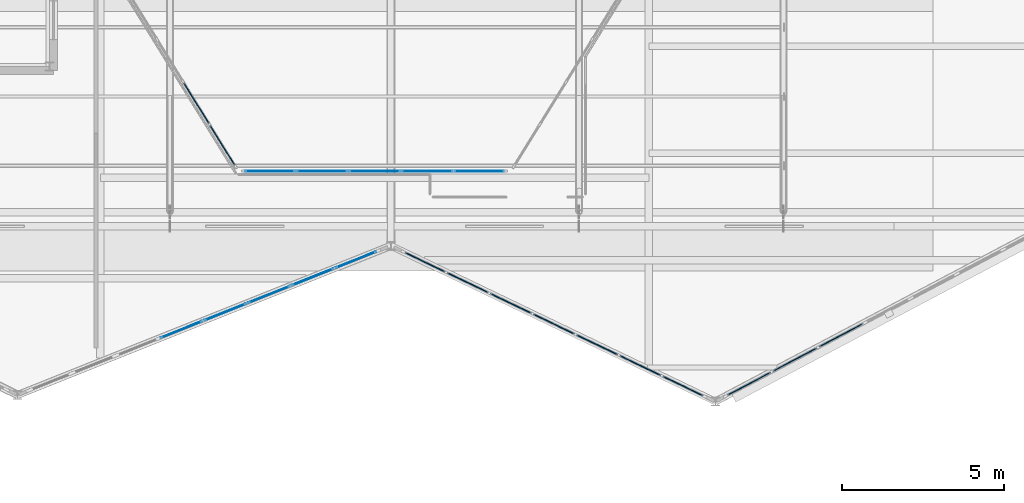
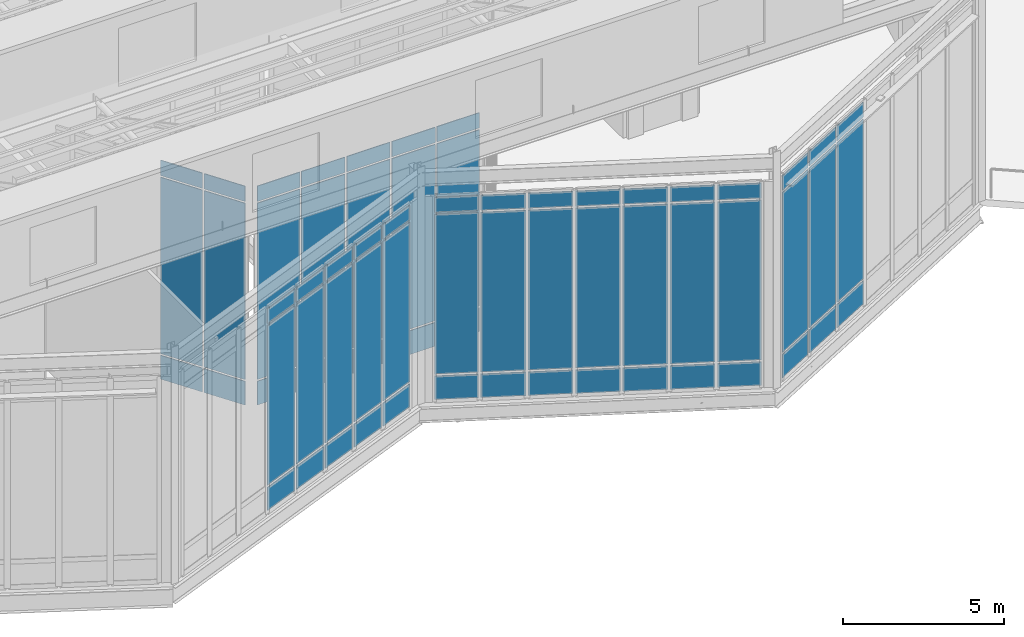
# One storey, part 43 of 66: 66 plates, 5 elements without a shape of their own.
"""IFC4 building model written with IfcOpenShell, lengths in metres."""

from ifc_helpers import new_model, si_unit, direction, frame, origin, origin_2d, place, context, subcontext, project, spatial, rectangle, extrude, material, layer, layer_set, type_object, element, aggregate, save


model = new_model("IFC4")

# Units and contexts
model_context = context("Model", 3, precision=1e-05, world=origin(), true_north=direction((0.0, 1.0)))
body_context = subcontext(model_context, "Body", "Model", "MODEL_VIEW")
ifc_project = project(units=[si_unit("LENGTHUNIT", "METRE"), si_unit("AREAUNIT", "SQUARE_METRE"), si_unit("VOLUMEUNIT", "CUBIC_METRE"), si_unit("PLANEANGLEUNIT", "RADIAN"), si_unit("MASSUNIT", "GRAM", prefix="KILO")], contexts=[model_context])

# Site, building, storey
site_placement = place(None, origin())
site = spatial("IfcSite", under=ifc_project, at=site_placement, CompositionType="ELEMENT")
building_placement = place(site_placement, origin())
building = spatial("IfcBuilding", under=site, at=building_placement, Name="Tameran Prism Museum", CompositionType="ELEMENT")
storey_placement = place(building_placement, frame((0.0, 0.0, 19.800048828125)))
storey = spatial("IfcBuildingStorey", under=building, at=storey_placement, Name="L04", CompositionType="ELEMENT", Elevation=19.800048828125)

# Curtain wall, plates
ifc_material_1 = material(Name="Anodised Aluminium 6063-T6 and Cyclone Solar Glass", Category="aluminium")
curtain_wall_type_1 = type_object("IfcCurtainWallType", Name="CW-ATR-769x844", PredefinedType="USERDEFINED", material=ifc_material_1)
curtain_wall_1_placement = place(storey_placement, origin())
curtain_wall_1 = element("IfcCurtainWall", 1, at=curtain_wall_1_placement, inside=storey, type_object=curtain_wall_type_1, Name="Unitised Curtain Wall CW-015", ObjectType="UNITISED CURTAIN WALL", PredefinedType="USERDEFINED")
ifc_material_2 = material(Name="Low-E Laminated Solar Glass", Category="glass")
ifc_layer_1 = layer(ifc_material_2, 0.028076171875)
ifc_layer_set_1 = layer_set([ifc_layer_1])
plate_type_1 = type_object("IfcPlateType", Name="CW-PNL-G28", PredefinedType="CURTAIN_PANEL", material=ifc_layer_set_1)
plate_1_placement = place(storey_placement, frame((71.50830078125, 31.791259765625, 0.06494140625), z_axis=(0.0, 0.0, 1.0), x_axis=(0.525503952357, -0.850791158897, 0.0)))
plate_1 = element("IfcPlate", 2, at=plate_1_placement, type_object=plate_type_1, Name="CW-015 panel 4.1", PredefinedType="CURTAIN_PANEL", context=body_context, shape_type="SweptSolid", body=[
    extrude(rectangle(XDim=1.473388671875, YDim=0.028076171875, at=origin_2d()), origin(), (0.0, 0.0, 1.0), 0.902587890625),
])
plate_2_placement = place(storey_placement, frame((71.50830078125, 31.791259765625, 1.0322265625), z_axis=(0.0, 0.0, 1.0), x_axis=(0.525503952357, -0.850791158897, 0.0)))
plate_2 = element("IfcPlate", 3, at=plate_2_placement, type_object=plate_type_1, Name="CW-015 panel 4.2", PredefinedType="CURTAIN_PANEL", context=body_context, shape_type="SweptSolid", body=[
    extrude(rectangle(XDim=1.473388671875, YDim=0.028076171875, at=origin_2d()), origin(), (0.0, 0.0, 1.0), 6.695068359375),
])
plate_3_placement = place(storey_placement, frame((71.50830078125, 31.791259765625, 7.79248046875), z_axis=(0.0, 0.0, 1.0), x_axis=(0.525503952357, -0.850791158897, 0.0)))
plate_3 = element("IfcPlate", 4, at=plate_3_placement, type_object=plate_type_1, Name="CW-015 panel 4.3", PredefinedType="CURTAIN_PANEL", context=body_context, shape_type="SweptSolid", body=[
    extrude(rectangle(XDim=1.473388671875, YDim=0.028076171875, at=origin_2d()), origin(), (0.0, 0.0, 1.0), 0.58251953125),
])
plate_4_placement = place(storey_placement, frame((72.308349609375, 30.496337890625, 0.06494140625), z_axis=(0.0, 0.0, 1.0), x_axis=(0.525503952357, -0.850791158897, 0.0)))
plate_4 = element("IfcPlate", 5, at=plate_4_placement, type_object=plate_type_1, Name="CW-015 panel 5.1", PredefinedType="CURTAIN_PANEL", context=body_context, shape_type="SweptSolid", body=[
    extrude(rectangle(XDim=1.44091796875, YDim=0.028076171875, at=origin_2d()), origin(), (0.0, 0.0, 1.0), 0.902587890625),
])
plate_5_placement = place(storey_placement, frame((72.308349609375, 30.496337890625, 1.0322265625), z_axis=(0.0, 0.0, 1.0), x_axis=(0.525503952357, -0.850791158897, 0.0)))
plate_5 = element("IfcPlate", 6, at=plate_5_placement, type_object=plate_type_1, Name="CW-015 panel 5.2", PredefinedType="CURTAIN_PANEL", context=body_context, shape_type="SweptSolid", body=[
    extrude(rectangle(XDim=1.44091796875, YDim=0.028076171875, at=origin_2d()), origin(), (0.0, 0.0, 1.0), 6.695068359375),
])
plate_6_placement = place(storey_placement, frame((72.308349609375, 30.496337890625, 7.79248046875), z_axis=(0.0, 0.0, 1.0), x_axis=(0.525503952357, -0.850791158897, 0.0)))
plate_6 = element("IfcPlate", 7, at=plate_6_placement, type_object=plate_type_1, Name="CW-015 panel 5.3", PredefinedType="CURTAIN_PANEL", context=body_context, shape_type="SweptSolid", body=[
    extrude(rectangle(XDim=1.44091796875, YDim=0.028076171875, at=origin_2d()), origin(), (0.0, 0.0, 1.0), 0.58251953125),
])
aggregate(curtain_wall_1, [plate_1, plate_2, plate_3, plate_4, plate_5, plate_6])

ifc_material_3 = material(Name="Anodised Aluminium 6063-T6 and Cyclone Solar Glass", Category="aluminium")
curtain_wall_type_2 = type_object("IfcCurtainWallType", Name="CW-ATR-810x844", PredefinedType="USERDEFINED", material=ifc_material_3)
curtain_wall_2_placement = place(storey_placement, origin())
curtain_wall_2 = element("IfcCurtainWall", 8, at=curtain_wall_2_placement, inside=storey, type_object=curtain_wall_type_2, Name="Unitised Curtain Wall CW-016", ObjectType="UNITISED CURTAIN WALL", PredefinedType="USERDEFINED")
plate_7_placement = place(storey_placement, frame((73.7763671875, 29.699951171875, 0.06494140625), z_axis=(0.0, 0.0, 1.0), x_axis=(1.0, 0.0, 0.0)))
plate_7 = element("IfcPlate", 9, at=plate_7_placement, type_object=plate_type_1, Name="CW-016 panel 1.1", PredefinedType="CURTAIN_PANEL", context=body_context, shape_type="SweptSolid", body=[
    extrude(rectangle(XDim=1.5224609375, YDim=0.028076171875, at=origin_2d()), origin(), (0.0, 0.0, 1.0), 0.902587890625),
])
plate_8_placement = place(storey_placement, frame((73.7763671875, 29.699951171875, 1.0322265625), z_axis=(0.0, 0.0, 1.0), x_axis=(1.0, 0.0, 0.0)))
plate_8 = element("IfcPlate", 10, at=plate_8_placement, type_object=plate_type_1, Name="CW-016 panel 1.2", PredefinedType="CURTAIN_PANEL", context=body_context, shape_type="SweptSolid", body=[
    extrude(rectangle(XDim=1.5224609375, YDim=0.028076171875, at=origin_2d()), origin(), (0.0, 0.0, 1.0), 6.695068359375),
])
plate_9_placement = place(storey_placement, frame((73.7763671875, 29.699951171875, 7.79248046875), z_axis=(0.0, 0.0, 1.0), x_axis=(1.0, 0.0, 0.0)))
plate_9 = element("IfcPlate", 11, at=plate_9_placement, type_object=plate_type_1, Name="CW-016 panel 1.3", PredefinedType="CURTAIN_PANEL", context=body_context, shape_type="SweptSolid", body=[
    extrude(rectangle(XDim=1.5224609375, YDim=0.028076171875, at=origin_2d()), origin(), (0.0, 0.0, 1.0), 0.58251953125),
])
plate_10_placement = place(storey_placement, frame((75.3798828125, 29.699951171875, 0.06494140625), z_axis=(0.0, 0.0, 1.0), x_axis=(1.0, 0.0, 0.0)))
plate_10 = element("IfcPlate", 12, at=plate_10_placement, type_object=plate_type_1, Name="CW-016 panel 2.1", PredefinedType="CURTAIN_PANEL", context=body_context, shape_type="SweptSolid", body=[
    extrude(rectangle(XDim=1.554931640625, YDim=0.028076171875, at=origin_2d()), origin(), (0.0, 0.0, 1.0), 0.902587890625),
])
plate_11_placement = place(storey_placement, frame((75.3798828125, 29.699951171875, 1.0322265625), z_axis=(0.0, 0.0, 1.0), x_axis=(1.0, 0.0, 0.0)))
plate_11 = element("IfcPlate", 13, at=plate_11_placement, type_object=plate_type_1, Name="CW-016 panel 2.2", PredefinedType="CURTAIN_PANEL", context=body_context, shape_type="SweptSolid", body=[
    extrude(rectangle(XDim=1.554931640625, YDim=0.028076171875, at=origin_2d()), origin(), (0.0, 0.0, 1.0), 6.695068359375),
])
plate_12_placement = place(storey_placement, frame((75.3798828125, 29.699951171875, 7.79248046875), z_axis=(0.0, 0.0, 1.0), x_axis=(1.0, 0.0, 0.0)))
plate_12 = element("IfcPlate", 14, at=plate_12_placement, type_object=plate_type_1, Name="CW-016 panel 2.3", PredefinedType="CURTAIN_PANEL", context=body_context, shape_type="SweptSolid", body=[
    extrude(rectangle(XDim=1.554931640625, YDim=0.028076171875, at=origin_2d()), origin(), (0.0, 0.0, 1.0), 0.58251953125),
])
plate_13_placement = place(storey_placement, frame((77.0, 29.699951171875, 0.06494140625), z_axis=(0.0, 0.0, 1.0), x_axis=(1.0, 0.0, 0.0)))
plate_13 = element("IfcPlate", 15, at=plate_13_placement, type_object=plate_type_1, Name="CW-016 panel 3.1", PredefinedType="CURTAIN_PANEL", context=body_context, shape_type="SweptSolid", body=[
    extrude(rectangle(XDim=1.554931640625, YDim=0.028076171875, at=origin_2d()), origin(), (0.0, 0.0, 1.0), 0.902587890625),
])
plate_14_placement = place(storey_placement, frame((77.0, 29.699951171875, 1.0322265625), z_axis=(0.0, 0.0, 1.0), x_axis=(1.0, 0.0, 0.0)))
plate_14 = element("IfcPlate", 16, at=plate_14_placement, type_object=plate_type_1, Name="CW-016 panel 3.2", PredefinedType="CURTAIN_PANEL", context=body_context, shape_type="SweptSolid", body=[
    extrude(rectangle(XDim=1.554931640625, YDim=0.028076171875, at=origin_2d()), origin(), (0.0, 0.0, 1.0), 6.695068359375),
])
plate_15_placement = place(storey_placement, frame((77.0, 29.699951171875, 7.79248046875), z_axis=(0.0, 0.0, 1.0), x_axis=(1.0, 0.0, 0.0)))
plate_15 = element("IfcPlate", 17, at=plate_15_placement, type_object=plate_type_1, Name="CW-016 panel 3.3", PredefinedType="CURTAIN_PANEL", context=body_context, shape_type="SweptSolid", body=[
    extrude(rectangle(XDim=1.554931640625, YDim=0.028076171875, at=origin_2d()), origin(), (0.0, 0.0, 1.0), 0.58251953125),
])
plate_16_placement = place(storey_placement, frame((78.6201171875, 29.699951171875, 0.06494140625), z_axis=(0.0, 0.0, 1.0), x_axis=(1.0, 0.0, 0.0)))
plate_16 = element("IfcPlate", 18, at=plate_16_placement, type_object=plate_type_1, Name="CW-016 panel 4.1", PredefinedType="CURTAIN_PANEL", context=body_context, shape_type="SweptSolid", body=[
    extrude(rectangle(XDim=1.554931640625, YDim=0.028076171875, at=origin_2d()), origin(), (0.0, 0.0, 1.0), 0.902587890625),
])
plate_17_placement = place(storey_placement, frame((78.6201171875, 29.699951171875, 1.0322265625), z_axis=(0.0, 0.0, 1.0), x_axis=(1.0, 0.0, 0.0)))
plate_17 = element("IfcPlate", 19, at=plate_17_placement, type_object=plate_type_1, Name="CW-016 panel 4.2", PredefinedType="CURTAIN_PANEL", context=body_context, shape_type="SweptSolid", body=[
    extrude(rectangle(XDim=1.554931640625, YDim=0.028076171875, at=origin_2d()), origin(), (0.0, 0.0, 1.0), 6.695068359375),
])
plate_18_placement = place(storey_placement, frame((78.6201171875, 29.699951171875, 7.79248046875), z_axis=(0.0, 0.0, 1.0), x_axis=(1.0, 0.0, 0.0)))
plate_18 = element("IfcPlate", 20, at=plate_18_placement, type_object=plate_type_1, Name="CW-016 panel 4.3", PredefinedType="CURTAIN_PANEL", context=body_context, shape_type="SweptSolid", body=[
    extrude(rectangle(XDim=1.554931640625, YDim=0.028076171875, at=origin_2d()), origin(), (0.0, 0.0, 1.0), 0.58251953125),
])
plate_19_placement = place(storey_placement, frame((80.2236328125, 29.699951171875, 0.06494140625), z_axis=(0.0, 0.0, 1.0), x_axis=(1.0, 0.0, 0.0)))
plate_19 = element("IfcPlate", 21, at=plate_19_placement, type_object=plate_type_1, Name="CW-016 panel 5.1", PredefinedType="CURTAIN_PANEL", context=body_context, shape_type="SweptSolid", body=[
    extrude(rectangle(XDim=1.5224609375, YDim=0.028076171875, at=origin_2d()), origin(), (0.0, 0.0, 1.0), 0.902587890625),
])
plate_20_placement = place(storey_placement, frame((80.2236328125, 29.699951171875, 1.0322265625), z_axis=(0.0, 0.0, 1.0), x_axis=(1.0, 0.0, 0.0)))
plate_20 = element("IfcPlate", 22, at=plate_20_placement, type_object=plate_type_1, Name="CW-016 panel 5.2", PredefinedType="CURTAIN_PANEL", context=body_context, shape_type="SweptSolid", body=[
    extrude(rectangle(XDim=1.5224609375, YDim=0.028076171875, at=origin_2d()), origin(), (0.0, 0.0, 1.0), 6.695068359375),
])
plate_21_placement = place(storey_placement, frame((80.2236328125, 29.699951171875, 7.79248046875), z_axis=(0.0, 0.0, 1.0), x_axis=(1.0, 0.0, 0.0)))
plate_21 = element("IfcPlate", 23, at=plate_21_placement, type_object=plate_type_1, Name="CW-016 panel 5.3", PredefinedType="CURTAIN_PANEL", context=body_context, shape_type="SweptSolid", body=[
    extrude(rectangle(XDim=1.5224609375, YDim=0.028076171875, at=origin_2d()), origin(), (0.0, 0.0, 1.0), 0.58251953125),
])
aggregate(curtain_wall_2, [plate_7, plate_8, plate_9, plate_10, plate_11, plate_12, plate_13, plate_14, plate_15, plate_16, plate_17, plate_18, plate_19, plate_20, plate_21])

ifc_material_4 = material(Name="Anodised Aluminium 6063-T6 and Cyclone Solar Glass", Category="aluminium")
curtain_wall_type_3 = type_object("IfcCurtainWallType", Name="CW-FAC-1163x782", PredefinedType="USERDEFINED", material=ifc_material_4)
curtain_wall_3_placement = place(storey_placement, origin())
curtain_wall_3 = element("IfcCurtainWall", 24, at=curtain_wall_3_placement, inside=storey, type_object=curtain_wall_type_3, Name="Unitised Curtain Wall CW-158", ObjectType="UNITISED CURTAIN WALL", PredefinedType="USERDEFINED")
plate_22_placement = place(storey_placement, frame((76.42578125, 26.970703125, 0.080078125), z_axis=(0.0, 0.0, 1.0), x_axis=(-0.928464826032, -0.371420337114, 0.0)))
plate_22 = element("IfcPlate", 25, at=plate_22_placement, type_object=plate_type_1, Name="CW-158 panel 1.1", PredefinedType="CURTAIN_PANEL", context=body_context, shape_type="SweptSolid", body=[
    extrude(rectangle(XDim=1.333251953125, YDim=0.028076171875, at=origin_2d()), origin(), (0.0, 0.0, 1.0), 0.8798828125),
])
plate_23_placement = place(storey_placement, frame((76.42578125, 26.970703125, 1.0400390625), z_axis=(0.0, 0.0, 1.0), x_axis=(-0.928464826032, -0.371420337114, 0.0)))
plate_23 = element("IfcPlate", 26, at=plate_23_placement, type_object=plate_type_1, Name="CW-158 panel 1.2", PredefinedType="CURTAIN_PANEL", context=body_context, shape_type="SweptSolid", body=[
    extrude(rectangle(XDim=1.333251953125, YDim=0.028076171875, at=origin_2d()), origin(), (0.0, 0.0, 1.0), 6.06005859375),
])
plate_24_placement = place(storey_placement, frame((76.42578125, 26.970703125, 7.179931640625), z_axis=(0.0, 0.0, 1.0), x_axis=(-0.928464826032, -0.371420337114, 0.0)))
plate_24 = element("IfcPlate", 27, at=plate_24_placement, type_object=plate_type_1, Name="CW-158 panel 1.3", PredefinedType="CURTAIN_PANEL", context=body_context, shape_type="SweptSolid", body=[
    extrude(rectangle(XDim=1.333251953125, YDim=0.028076171875, at=origin_2d()), origin(), (0.0, 0.0, 1.0), 0.56005859375),
])
plate_25_placement = place(storey_placement, frame((75.09521484375, 26.4384765625, 0.080078125), z_axis=(0.0, 0.0, 1.0), x_axis=(-0.928464826032, -0.371420337114, 0.0)))
plate_25 = element("IfcPlate", 28, at=plate_25_placement, type_object=plate_type_1, Name="CW-158 panel 2.1", PredefinedType="CURTAIN_PANEL", context=body_context, shape_type="SweptSolid", body=[
    extrude(rectangle(XDim=1.373291015625, YDim=0.028076171875, at=origin_2d()), origin(), (0.0, 0.0, 1.0), 0.8798828125),
])
plate_26_placement = place(storey_placement, frame((75.09521484375, 26.4384765625, 1.0400390625), z_axis=(0.0, 0.0, 1.0), x_axis=(-0.928464826032, -0.371420337114, 0.0)))
plate_26 = element("IfcPlate", 29, at=plate_26_placement, type_object=plate_type_1, Name="CW-158 panel 2.2", PredefinedType="CURTAIN_PANEL", context=body_context, shape_type="SweptSolid", body=[
    extrude(rectangle(XDim=1.373291015625, YDim=0.028076171875, at=origin_2d()), origin(), (0.0, 0.0, 1.0), 6.06005859375),
])
plate_27_placement = place(storey_placement, frame((75.09521484375, 26.4384765625, 7.179931640625), z_axis=(0.0, 0.0, 1.0), x_axis=(-0.928464826032, -0.371420337114, 0.0)))
plate_27 = element("IfcPlate", 30, at=plate_27_placement, type_object=plate_type_1, Name="CW-158 panel 2.3", PredefinedType="CURTAIN_PANEL", context=body_context, shape_type="SweptSolid", body=[
    extrude(rectangle(XDim=1.373291015625, YDim=0.028076171875, at=origin_2d()), origin(), (0.0, 0.0, 1.0), 0.56005859375),
])
plate_28_placement = place(storey_placement, frame((73.745849609375, 25.898681640625, 0.080078125), z_axis=(0.0, 0.0, 1.0), x_axis=(-0.928464826032, -0.371420337114, 0.0)))
plate_28 = element("IfcPlate", 31, at=plate_28_placement, type_object=plate_type_1, Name="CW-158 panel 3.1", PredefinedType="CURTAIN_PANEL", context=body_context, shape_type="SweptSolid", body=[
    extrude(rectangle(XDim=1.373291015625, YDim=0.028076171875, at=origin_2d()), origin(), (0.0, 0.0, 1.0), 0.8798828125),
])
plate_29_placement = place(storey_placement, frame((73.745849609375, 25.898681640625, 1.0400390625), z_axis=(0.0, 0.0, 1.0), x_axis=(-0.928464826032, -0.371420337114, 0.0)))
plate_29 = element("IfcPlate", 32, at=plate_29_placement, type_object=plate_type_1, Name="CW-158 panel 3.2", PredefinedType="CURTAIN_PANEL", context=body_context, shape_type="SweptSolid", body=[
    extrude(rectangle(XDim=1.373291015625, YDim=0.028076171875, at=origin_2d()), origin(), (0.0, 0.0, 1.0), 6.06005859375),
])
plate_30_placement = place(storey_placement, frame((73.745849609375, 25.898681640625, 7.179931640625), z_axis=(0.0, 0.0, 1.0), x_axis=(-0.928464826032, -0.371420337114, 0.0)))
plate_30 = element("IfcPlate", 33, at=plate_30_placement, type_object=plate_type_1, Name="CW-158 panel 3.3", PredefinedType="CURTAIN_PANEL", context=body_context, shape_type="SweptSolid", body=[
    extrude(rectangle(XDim=1.373291015625, YDim=0.028076171875, at=origin_2d()), origin(), (0.0, 0.0, 1.0), 0.56005859375),
])
plate_31_placement = place(storey_placement, frame((72.396728515625, 25.35888671875, 0.080078125), z_axis=(0.0, 0.0, 1.0), x_axis=(-0.928464826032, -0.371420337114, 0.0)))
plate_31 = element("IfcPlate", 34, at=plate_31_placement, type_object=plate_type_1, Name="CW-158 panel 4.1", PredefinedType="CURTAIN_PANEL", context=body_context, shape_type="SweptSolid", body=[
    extrude(rectangle(XDim=1.373291015625, YDim=0.028076171875, at=origin_2d()), origin(), (0.0, 0.0, 1.0), 0.8798828125),
])
plate_32_placement = place(storey_placement, frame((72.396728515625, 25.35888671875, 1.0400390625), z_axis=(0.0, 0.0, 1.0), x_axis=(-0.928464826032, -0.371420337114, 0.0)))
plate_32 = element("IfcPlate", 35, at=plate_32_placement, type_object=plate_type_1, Name="CW-158 panel 4.2", PredefinedType="CURTAIN_PANEL", context=body_context, shape_type="SweptSolid", body=[
    extrude(rectangle(XDim=1.373291015625, YDim=0.028076171875, at=origin_2d()), origin(), (0.0, 0.0, 1.0), 6.06005859375),
])
plate_33_placement = place(storey_placement, frame((72.396728515625, 25.35888671875, 7.179931640625), z_axis=(0.0, 0.0, 1.0), x_axis=(-0.928464826032, -0.371420337114, 0.0)))
plate_33 = element("IfcPlate", 36, at=plate_33_placement, type_object=plate_type_1, Name="CW-158 panel 4.3", PredefinedType="CURTAIN_PANEL", context=body_context, shape_type="SweptSolid", body=[
    extrude(rectangle(XDim=1.373291015625, YDim=0.028076171875, at=origin_2d()), origin(), (0.0, 0.0, 1.0), 0.56005859375),
])
plate_34_placement = place(storey_placement, frame((71.04736328125, 24.819091796875, 0.080078125), z_axis=(0.0, 0.0, 1.0), x_axis=(-0.928464826032, -0.371420337114, 0.0)))
plate_34 = element("IfcPlate", 37, at=plate_34_placement, type_object=plate_type_1, Name="CW-158 panel 5.1", PredefinedType="CURTAIN_PANEL", context=body_context, shape_type="SweptSolid", body=[
    extrude(rectangle(XDim=1.373291015625, YDim=0.028076171875, at=origin_2d()), origin(), (0.0, 0.0, 1.0), 0.8798828125),
])
plate_35_placement = place(storey_placement, frame((71.04736328125, 24.819091796875, 1.0400390625), z_axis=(0.0, 0.0, 1.0), x_axis=(-0.928464826032, -0.371420337114, 0.0)))
plate_35 = element("IfcPlate", 38, at=plate_35_placement, type_object=plate_type_1, Name="CW-158 panel 5.2", PredefinedType="CURTAIN_PANEL", context=body_context, shape_type="SweptSolid", body=[
    extrude(rectangle(XDim=1.373291015625, YDim=0.028076171875, at=origin_2d()), origin(), (0.0, 0.0, 1.0), 6.06005859375),
])
plate_36_placement = place(storey_placement, frame((71.04736328125, 24.819091796875, 7.179931640625), z_axis=(0.0, 0.0, 1.0), x_axis=(-0.928464826032, -0.371420337114, 0.0)))
plate_36 = element("IfcPlate", 39, at=plate_36_placement, type_object=plate_type_1, Name="CW-158 panel 5.3", PredefinedType="CURTAIN_PANEL", context=body_context, shape_type="SweptSolid", body=[
    extrude(rectangle(XDim=1.373291015625, YDim=0.028076171875, at=origin_2d()), origin(), (0.0, 0.0, 1.0), 0.56005859375),
])
aggregate(curtain_wall_3, [plate_22, plate_23, plate_24, plate_25, plate_26, plate_27, plate_28, plate_29, plate_30, plate_31, plate_32, plate_33, plate_34, plate_35, plate_36])

ifc_material_5 = material(Name="Anodised Aluminium 6063-T6 and Cyclone Solar Glass", Category="aluminium")
curtain_wall_type_4 = type_object("IfcCurtainWallType", Name="CW-FAC-1129x782", PredefinedType="USERDEFINED", material=ifc_material_5)
curtain_wall_4_placement = place(storey_placement, origin())
curtain_wall_4 = element("IfcCurtainWall", 40, at=curtain_wall_4_placement, inside=storey, type_object=curtain_wall_type_4, Name="Unitised Curtain Wall CW-161", ObjectType="UNITISED CURTAIN WALL", PredefinedType="USERDEFINED")
plate_37_placement = place(storey_placement, frame((91.3740234375, 24.646484375, 0.0751953125), z_axis=(0.0, 0.0, 1.0), x_axis=(-0.884175436294, -0.467155004099, 0.0)))
plate_37 = element("IfcPlate", 41, at=plate_37_placement, type_object=plate_type_1, Name="CW-161 panel 5.1", PredefinedType="CURTAIN_PANEL", context=body_context, shape_type="SweptSolid", body=[
    extrude(rectangle(XDim=1.537841796875, YDim=0.028076171875, at=origin_2d()), origin(), (0.0, 0.0, 1.0), 0.887451171875),
])
plate_38_placement = place(storey_placement, frame((91.3740234375, 24.646484375, 1.03759765625), z_axis=(0.0, 0.0, 1.0), x_axis=(-0.884175436294, -0.467155004099, 0.0)))
plate_38 = element("IfcPlate", 42, at=plate_38_placement, type_object=plate_type_1, Name="CW-161 panel 5.2", PredefinedType="CURTAIN_PANEL", context=body_context, shape_type="SweptSolid", body=[
    extrude(rectangle(XDim=1.537841796875, YDim=0.028076171875, at=origin_2d()), origin(), (0.0, 0.0, 1.0), 6.06494140625),
])
plate_39_placement = place(storey_placement, frame((91.3740234375, 24.646484375, 7.177490234375), z_axis=(0.0, 0.0, 1.0), x_axis=(-0.884175436294, -0.467155004099, 0.0)))
plate_39 = element("IfcPlate", 43, at=plate_39_placement, type_object=plate_type_1, Name="CW-161 panel 5.3", PredefinedType="CURTAIN_PANEL", context=body_context, shape_type="SweptSolid", body=[
    extrude(rectangle(XDim=1.537841796875, YDim=0.028076171875, at=origin_2d()), origin(), (0.0, 0.0, 1.0), 0.5673828125),
])
plate_40_placement = place(storey_placement, frame((89.947998046875, 23.89306640625, 0.0751953125), z_axis=(0.0, 0.0, 1.0), x_axis=(-0.884175436294, -0.467155004099, 0.0)))
plate_40 = element("IfcPlate", 44, at=plate_40_placement, type_object=plate_type_1, Name="CW-161 panel 6.1", PredefinedType="CURTAIN_PANEL", context=body_context, shape_type="SweptSolid", body=[
    extrude(rectangle(XDim=1.537841796875, YDim=0.028076171875, at=origin_2d()), origin(), (0.0, 0.0, 1.0), 0.887451171875),
])
plate_41_placement = place(storey_placement, frame((89.947998046875, 23.89306640625, 1.03759765625), z_axis=(0.0, 0.0, 1.0), x_axis=(-0.884175436294, -0.467155004099, 0.0)))
plate_41 = element("IfcPlate", 45, at=plate_41_placement, type_object=plate_type_1, Name="CW-161 panel 6.2", PredefinedType="CURTAIN_PANEL", context=body_context, shape_type="SweptSolid", body=[
    extrude(rectangle(XDim=1.537841796875, YDim=0.028076171875, at=origin_2d()), origin(), (0.0, 0.0, 1.0), 6.06494140625),
])
plate_42_placement = place(storey_placement, frame((89.947998046875, 23.89306640625, 7.177490234375), z_axis=(0.0, 0.0, 1.0), x_axis=(-0.884175436294, -0.467155004099, 0.0)))
plate_42 = element("IfcPlate", 46, at=plate_42_placement, type_object=plate_type_1, Name="CW-161 panel 6.3", PredefinedType="CURTAIN_PANEL", context=body_context, shape_type="SweptSolid", body=[
    extrude(rectangle(XDim=1.537841796875, YDim=0.028076171875, at=origin_2d()), origin(), (0.0, 0.0, 1.0), 0.5673828125),
])
plate_43_placement = place(storey_placement, frame((88.53857421875, 23.1484375, 0.0751953125), z_axis=(0.0, 0.0, 1.0), x_axis=(-0.884175436294, -0.467155004099, 0.0)))
plate_43 = element("IfcPlate", 47, at=plate_43_placement, type_object=plate_type_1, Name="CW-161 panel 7.1", PredefinedType="CURTAIN_PANEL", context=body_context, shape_type="SweptSolid", body=[
    extrude(rectangle(XDim=1.500244140625, YDim=0.028076171875, at=origin_2d()), origin(), (0.0, 0.0, 1.0), 0.887451171875),
])
plate_44_placement = place(storey_placement, frame((88.53857421875, 23.1484375, 1.03759765625), z_axis=(0.0, 0.0, 1.0), x_axis=(-0.884175436294, -0.467155004099, 0.0)))
plate_44 = element("IfcPlate", 48, at=plate_44_placement, type_object=plate_type_1, Name="CW-161 panel 7.2", PredefinedType="CURTAIN_PANEL", context=body_context, shape_type="SweptSolid", body=[
    extrude(rectangle(XDim=1.500244140625, YDim=0.028076171875, at=origin_2d()), origin(), (0.0, 0.0, 1.0), 6.06494140625),
])
plate_45_placement = place(storey_placement, frame((88.53857421875, 23.1484375, 7.177490234375), z_axis=(0.0, 0.0, 1.0), x_axis=(-0.884175436294, -0.467155004099, 0.0)))
plate_45 = element("IfcPlate", 49, at=plate_45_placement, type_object=plate_type_1, Name="CW-161 panel 7.3", PredefinedType="CURTAIN_PANEL", context=body_context, shape_type="SweptSolid", body=[
    extrude(rectangle(XDim=1.500244140625, YDim=0.028076171875, at=origin_2d()), origin(), (0.0, 0.0, 1.0), 0.5673828125),
])
aggregate(curtain_wall_4, [plate_37, plate_38, plate_39, plate_40, plate_41, plate_42, plate_43, plate_44, plate_45])

ifc_material_6 = material(Name="Anodised Aluminium 6063-T6 and Cyclone Solar Glass", Category="aluminium")
curtain_wall_type_5 = type_object("IfcCurtainWallType", Name="CW-FAC-1033x782", PredefinedType="USERDEFINED", material=ifc_material_6)
curtain_wall_5_placement = place(storey_placement, origin())
curtain_wall_5 = element("IfcCurtainWall", 50, at=curtain_wall_5_placement, inside=storey, type_object=curtain_wall_type_5, Name="Unitised Curtain Wall CW-160", ObjectType="UNITISED CURTAIN WALL", PredefinedType="USERDEFINED")
ifc_material_7 = material(Name="Cyclone Laminated Solar Glass", Category="glass")
ifc_layer_2 = layer(ifc_material_7, 0.031982421875)
ifc_layer_set_2 = layer_set([ifc_layer_2])
plate_type_2 = type_object("IfcPlateType", Name="CW-PNL-G32", PredefinedType="CURTAIN_PANEL", material=ifc_layer_set_2)
plate_46_placement = place(storey_placement, frame((86.5029296875, 23.078125, 0.06982421875), z_axis=(0.0, 0.0, 1.0), x_axis=(-0.901474721245, 0.432831753637, 0.0)))
plate_46 = element("IfcPlate", 51, at=plate_46_placement, type_object=plate_type_2, Name="CW-160 panel 1.1", PredefinedType="CURTAIN_PANEL", context=body_context, shape_type="SweptSolid", body=[
    extrude(rectangle(XDim=1.37109375, YDim=0.031982421875, at=origin_2d()), origin(), (0.0, 0.0, 1.0), 0.89501953125),
])
plate_47_placement = place(storey_placement, frame((86.5029296875, 23.078125, 1.03515625), z_axis=(0.0, 0.0, 1.0), x_axis=(-0.901474721245, 0.432831753637, 0.0)))
plate_47 = element("IfcPlate", 52, at=plate_47_placement, type_object=plate_type_2, Name="CW-160 panel 1.2", PredefinedType="CURTAIN_PANEL", context=body_context, shape_type="SweptSolid", body=[
    extrude(rectangle(XDim=1.37109375, YDim=0.031982421875, at=origin_2d()), origin(), (0.0, 0.0, 1.0), 6.070068359375),
])
plate_48_placement = place(storey_placement, frame((86.5029296875, 23.078125, 7.1748046875), z_axis=(0.0, 0.0, 1.0), x_axis=(-0.901474721245, 0.432831753637, 0.0)))
plate_48 = element("IfcPlate", 53, at=plate_48_placement, type_object=plate_type_2, Name="CW-160 panel 1.3", PredefinedType="CURTAIN_PANEL", context=body_context, shape_type="SweptSolid", body=[
    extrude(rectangle(XDim=1.37109375, YDim=0.031982421875, at=origin_2d()), origin(), (0.0, 0.0, 1.0), 0.574951171875),
])
plate_49_placement = place(storey_placement, frame((85.188232421875, 23.709228515625, 0.06982421875), z_axis=(0.0, 0.0, 1.0), x_axis=(-0.901474721245, 0.432831753637, 0.0)))
plate_49 = element("IfcPlate", 54, at=plate_49_placement, type_object=plate_type_2, Name="CW-160 panel 2.1", PredefinedType="CURTAIN_PANEL", context=body_context, shape_type="SweptSolid", body=[
    extrude(rectangle(XDim=1.406005859375, YDim=0.031982421875, at=origin_2d()), origin(), (0.0, 0.0, 1.0), 0.89501953125),
])
plate_50_placement = place(storey_placement, frame((85.188232421875, 23.709228515625, 1.03515625), z_axis=(0.0, 0.0, 1.0), x_axis=(-0.901474721245, 0.432831753637, 0.0)))
plate_50 = element("IfcPlate", 55, at=plate_50_placement, type_object=plate_type_2, Name="CW-160 panel 2.2", PredefinedType="CURTAIN_PANEL", context=body_context, shape_type="SweptSolid", body=[
    extrude(rectangle(XDim=1.406005859375, YDim=0.031982421875, at=origin_2d()), origin(), (0.0, 0.0, 1.0), 6.070068359375),
])
plate_51_placement = place(storey_placement, frame((85.188232421875, 23.709228515625, 7.1748046875), z_axis=(0.0, 0.0, 1.0), x_axis=(-0.901474721245, 0.432831753637, 0.0)))
plate_51 = element("IfcPlate", 56, at=plate_51_placement, type_object=plate_type_2, Name="CW-160 panel 2.3", PredefinedType="CURTAIN_PANEL", context=body_context, shape_type="SweptSolid", body=[
    extrude(rectangle(XDim=1.406005859375, YDim=0.031982421875, at=origin_2d()), origin(), (0.0, 0.0, 1.0), 0.574951171875),
])
plate_52_placement = place(storey_placement, frame((83.857666015625, 24.34814453125, 0.06982421875), z_axis=(0.0, 0.0, 1.0), x_axis=(-0.901474721245, 0.432831753637, 0.0)))
plate_52 = element("IfcPlate", 57, at=plate_52_placement, type_object=plate_type_2, Name="CW-160 panel 3.1", PredefinedType="CURTAIN_PANEL", context=body_context, shape_type="SweptSolid", body=[
    extrude(rectangle(XDim=1.406005859375, YDim=0.031982421875, at=origin_2d()), origin(), (0.0, 0.0, 1.0), 0.89501953125),
])
plate_53_placement = place(storey_placement, frame((83.857666015625, 24.34814453125, 1.03515625), z_axis=(0.0, 0.0, 1.0), x_axis=(-0.901474721245, 0.432831753637, 0.0)))
plate_53 = element("IfcPlate", 58, at=plate_53_placement, type_object=plate_type_2, Name="CW-160 panel 3.2", PredefinedType="CURTAIN_PANEL", context=body_context, shape_type="SweptSolid", body=[
    extrude(rectangle(XDim=1.406005859375, YDim=0.031982421875, at=origin_2d()), origin(), (0.0, 0.0, 1.0), 6.070068359375),
])
plate_54_placement = place(storey_placement, frame((83.857666015625, 24.34814453125, 7.1748046875), z_axis=(0.0, 0.0, 1.0), x_axis=(-0.901474721245, 0.432831753637, 0.0)))
plate_54 = element("IfcPlate", 59, at=plate_54_placement, type_object=plate_type_2, Name="CW-160 panel 3.3", PredefinedType="CURTAIN_PANEL", context=body_context, shape_type="SweptSolid", body=[
    extrude(rectangle(XDim=1.406005859375, YDim=0.031982421875, at=origin_2d()), origin(), (0.0, 0.0, 1.0), 0.574951171875),
])
plate_55_placement = place(storey_placement, frame((82.527099609375, 24.987060546875, 0.06982421875), z_axis=(0.0, 0.0, 1.0), x_axis=(-0.901474721245, 0.432831753637, 0.0)))
plate_55 = element("IfcPlate", 60, at=plate_55_placement, type_object=plate_type_2, Name="CW-160 panel 4.1", PredefinedType="CURTAIN_PANEL", context=body_context, shape_type="SweptSolid", body=[
    extrude(rectangle(XDim=1.406005859375, YDim=0.031982421875, at=origin_2d()), origin(), (0.0, 0.0, 1.0), 0.89501953125),
])
plate_56_placement = place(storey_placement, frame((82.527099609375, 24.987060546875, 1.03515625), z_axis=(0.0, 0.0, 1.0), x_axis=(-0.901474721245, 0.432831753637, 0.0)))
plate_56 = element("IfcPlate", 61, at=plate_56_placement, type_object=plate_type_2, Name="CW-160 panel 4.2", PredefinedType="CURTAIN_PANEL", context=body_context, shape_type="SweptSolid", body=[
    extrude(rectangle(XDim=1.406005859375, YDim=0.031982421875, at=origin_2d()), origin(), (0.0, 0.0, 1.0), 6.070068359375),
])
plate_57_placement = place(storey_placement, frame((82.527099609375, 24.987060546875, 7.1748046875), z_axis=(0.0, 0.0, 1.0), x_axis=(-0.901474721245, 0.432831753637, 0.0)))
plate_57 = element("IfcPlate", 62, at=plate_57_placement, type_object=plate_type_2, Name="CW-160 panel 4.3", PredefinedType="CURTAIN_PANEL", context=body_context, shape_type="SweptSolid", body=[
    extrude(rectangle(XDim=1.406005859375, YDim=0.031982421875, at=origin_2d()), origin(), (0.0, 0.0, 1.0), 0.574951171875),
])
plate_58_placement = place(storey_placement, frame((81.196533203125, 25.6259765625, 0.06982421875), z_axis=(0.0, 0.0, 1.0), x_axis=(-0.901474721245, 0.432831753637, 0.0)))
plate_58 = element("IfcPlate", 63, at=plate_58_placement, type_object=plate_type_2, Name="CW-160 panel 5.1", PredefinedType="CURTAIN_PANEL", context=body_context, shape_type="SweptSolid", body=[
    extrude(rectangle(XDim=1.406005859375, YDim=0.031982421875, at=origin_2d()), origin(), (0.0, 0.0, 1.0), 0.89501953125),
])
plate_59_placement = place(storey_placement, frame((81.196533203125, 25.6259765625, 1.03515625), z_axis=(0.0, 0.0, 1.0), x_axis=(-0.901474721245, 0.432831753637, 0.0)))
plate_59 = element("IfcPlate", 64, at=plate_59_placement, type_object=plate_type_2, Name="CW-160 panel 5.2", PredefinedType="CURTAIN_PANEL", context=body_context, shape_type="SweptSolid", body=[
    extrude(rectangle(XDim=1.406005859375, YDim=0.031982421875, at=origin_2d()), origin(), (0.0, 0.0, 1.0), 6.070068359375),
])
plate_60_placement = place(storey_placement, frame((81.196533203125, 25.6259765625, 7.1748046875), z_axis=(0.0, 0.0, 1.0), x_axis=(-0.901474721245, 0.432831753637, 0.0)))
plate_60 = element("IfcPlate", 65, at=plate_60_placement, type_object=plate_type_2, Name="CW-160 panel 5.3", PredefinedType="CURTAIN_PANEL", context=body_context, shape_type="SweptSolid", body=[
    extrude(rectangle(XDim=1.406005859375, YDim=0.031982421875, at=origin_2d()), origin(), (0.0, 0.0, 1.0), 0.574951171875),
])
plate_61_placement = place(storey_placement, frame((79.865966796875, 26.2646484375, 0.06982421875), z_axis=(0.0, 0.0, 1.0), x_axis=(-0.901474721245, 0.432831753637, 0.0)))
plate_61 = element("IfcPlate", 66, at=plate_61_placement, type_object=plate_type_2, Name="CW-160 panel 6.1", PredefinedType="CURTAIN_PANEL", context=body_context, shape_type="SweptSolid", body=[
    extrude(rectangle(XDim=1.406005859375, YDim=0.031982421875, at=origin_2d()), origin(), (0.0, 0.0, 1.0), 0.89501953125),
])
plate_62_placement = place(storey_placement, frame((79.865966796875, 26.2646484375, 1.03515625), z_axis=(0.0, 0.0, 1.0), x_axis=(-0.901474721245, 0.432831753637, 0.0)))
plate_62 = element("IfcPlate", 67, at=plate_62_placement, type_object=plate_type_2, Name="CW-160 panel 6.2", PredefinedType="CURTAIN_PANEL", context=body_context, shape_type="SweptSolid", body=[
    extrude(rectangle(XDim=1.406005859375, YDim=0.031982421875, at=origin_2d()), origin(), (0.0, 0.0, 1.0), 6.070068359375),
])
plate_63_placement = place(storey_placement, frame((79.865966796875, 26.2646484375, 7.1748046875), z_axis=(0.0, 0.0, 1.0), x_axis=(-0.901474721245, 0.432831753637, 0.0)))
plate_63 = element("IfcPlate", 68, at=plate_63_placement, type_object=plate_type_2, Name="CW-160 panel 6.3", PredefinedType="CURTAIN_PANEL", context=body_context, shape_type="SweptSolid", body=[
    extrude(rectangle(XDim=1.406005859375, YDim=0.031982421875, at=origin_2d()), origin(), (0.0, 0.0, 1.0), 0.574951171875),
])
plate_64_placement = place(storey_placement, frame((78.551025390625, 26.89599609375, 0.06982421875), z_axis=(0.0, 0.0, 1.0), x_axis=(-0.901474721245, 0.432831753637, 0.0)))
plate_64 = element("IfcPlate", 69, at=plate_64_placement, type_object=plate_type_2, Name="CW-160 panel 7.1", PredefinedType="CURTAIN_PANEL", context=body_context, shape_type="SweptSolid", body=[
    extrude(rectangle(XDim=1.37109375, YDim=0.031982421875, at=origin_2d()), origin(), (0.0, 0.0, 1.0), 0.89501953125),
])
plate_65_placement = place(storey_placement, frame((78.551025390625, 26.89599609375, 1.03515625), z_axis=(0.0, 0.0, 1.0), x_axis=(-0.901474721245, 0.432831753637, 0.0)))
plate_65 = element("IfcPlate", 70, at=plate_65_placement, type_object=plate_type_2, Name="CW-160 panel 7.2", PredefinedType="CURTAIN_PANEL", context=body_context, shape_type="SweptSolid", body=[
    extrude(rectangle(XDim=1.37109375, YDim=0.031982421875, at=origin_2d()), origin(), (0.0, 0.0, 1.0), 6.070068359375),
])
plate_66_placement = place(storey_placement, frame((78.551025390625, 26.89599609375, 7.1748046875), z_axis=(0.0, 0.0, 1.0), x_axis=(-0.901474721245, 0.432831753637, 0.0)))
plate_66 = element("IfcPlate", 71, at=plate_66_placement, type_object=plate_type_2, Name="CW-160 panel 7.3", PredefinedType="CURTAIN_PANEL", context=body_context, shape_type="SweptSolid", body=[
    extrude(rectangle(XDim=1.37109375, YDim=0.031982421875, at=origin_2d()), origin(), (0.0, 0.0, 1.0), 0.574951171875),
])
aggregate(curtain_wall_5, [plate_46, plate_47, plate_48, plate_49, plate_50, plate_51, plate_52, plate_53, plate_54, plate_55, plate_56, plate_57, plate_58, plate_59, plate_60, plate_61, plate_62, plate_63, plate_64, plate_65, plate_66])

save(model, "model.ifc")
